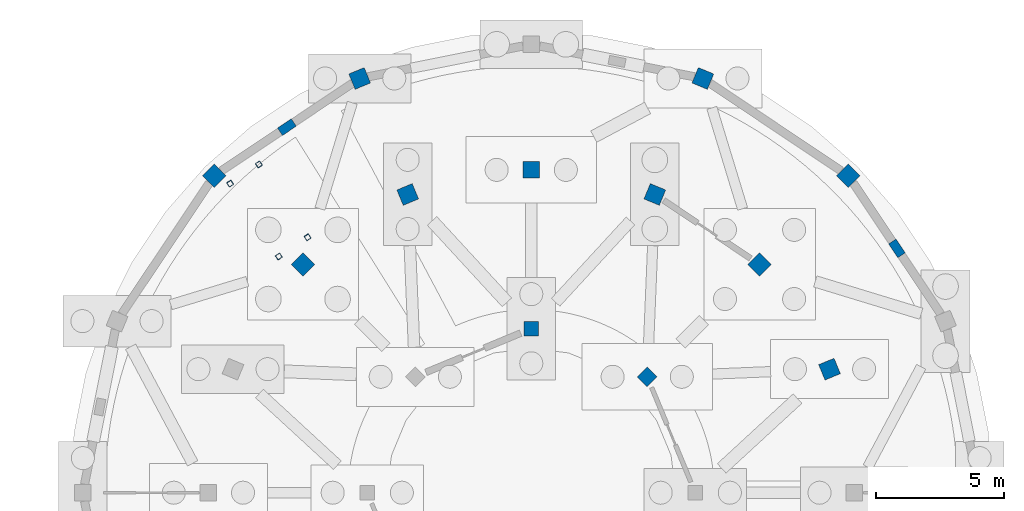
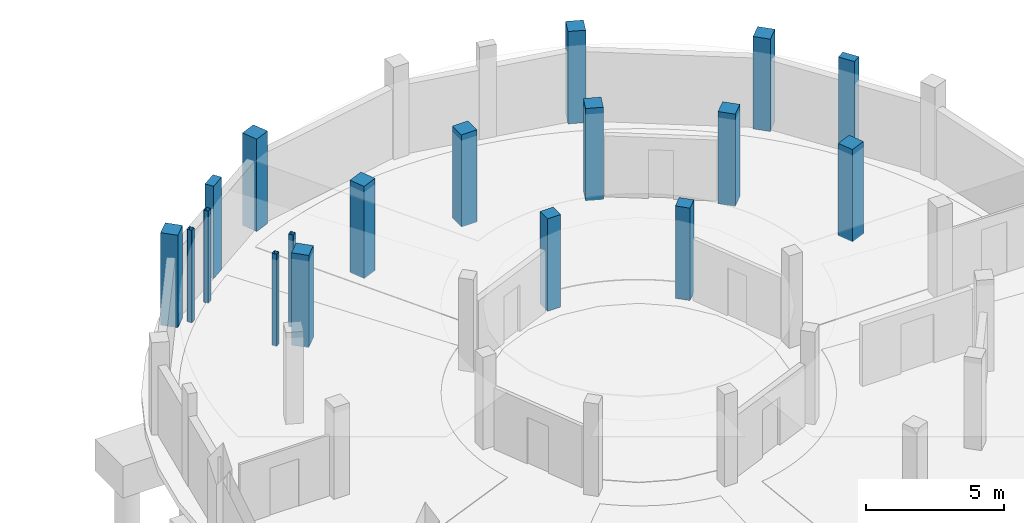
# One storey, part 31 of 58: 18 columns.
"""IFC4 building model written with IfcOpenShell, lengths in metres."""

from ifc_helpers import new_model, si_unit, direction, frame, origin, origin_2d, place, context, subcontext, project, spatial, rectangle, hollow_rectangle, extrude, material, material_profile, profile_set, type_object, element, save


model = new_model("IFC4")

# Units and contexts
model_context = context("Model", 3, precision=1e-05, world=origin(), true_north=direction((0.0, 1.0)))
body_context = subcontext(model_context, "Body", "Model", "MODEL_VIEW")
ifc_project = project(units=[si_unit("LENGTHUNIT", "METRE"), si_unit("AREAUNIT", "SQUARE_METRE"), si_unit("VOLUMEUNIT", "CUBIC_METRE"), si_unit("PLANEANGLEUNIT", "RADIAN"), si_unit("MASSUNIT", "GRAM", prefix="KILO")], contexts=[model_context])

# Site, building, storey
site_placement = place(None, origin())
site = spatial("IfcSite", under=ifc_project, at=site_placement, CompositionType="ELEMENT")
building_placement = place(site_placement, origin())
building = spatial("IfcBuilding", under=site, at=building_placement, Name="Caldaven Crescent School", CompositionType="ELEMENT")
storey_placement = place(building_placement, frame((0.0, 0.0, -4.080078125)))
storey = spatial("IfcBuildingStorey", under=building, at=storey_placement, Name="B1", CompositionType="ELEMENT", Elevation=-4.080078125)

# Columns
ifc_material_1 = material(Name="Steel ASTM A572 Grade 50", Category="steel")
ifc_material_profile_1 = material_profile(ifc_material_1, hollow_rectangle(XDim=0.199951171875, YDim=0.199951171875, WallThickness=0.010009765625, InnerFilletRadius=0.010009765625, OuterFilletRadius=0.02001953125, at=origin_2d()), Name="HSS 200x200x10")
ifc_profile_set_1 = profile_set([ifc_material_profile_1], Name="Steel ASTM A572 Grade 50")
column_type_1 = type_object("IfcColumnType", Name="COL-HS20", PredefinedType="COLUMN", material=ifc_profile_set_1)
for number, where, z_axis, x_axis, name in (
    (1, (141.86962890625, 111.3134765625, 0.0), (0.0, 0.0, 1.0), (-0.831469612303, -0.55557023302, 0.0), "COL-STPOST-STV1-B1-A"),
    (2, (143.769775390625, 108.469970703125, 0.0), (0.0, 0.0, 1.0), (-0.831469612303, -0.55557023302, 0.0), "COL-STPOST-STV1-B1-B"),
    (3, (140.7470703125, 110.5634765625, 0.0), (0.0, 0.0, 1.0), (-0.831469612303, -0.55557023302, 0.0), "COL-STPOST-STV1-B1-C"),
    (4, (142.647216796875, 107.719970703125, 0.0), (0.0, 0.0, 1.0), (-0.831469612303, -0.55557023302, 0.0), "COL-STPOST-STV1-B1-D"),
):
    element("IfcColumn", number, at=place(storey_placement, frame(where, z_axis=z_axis, x_axis=x_axis)), inside=storey, type_object=column_type_1, Name=name, PredefinedType="COLUMN", context=body_context, shape_type="SweptSolid", body=[
        extrude(hollow_rectangle(XDim=0.199951171875, YDim=0.199951171875, WallThickness=0.010009765625, InnerFilletRadius=0.010009765625, OuterFilletRadius=0.02001953125, at=origin_2d()), origin(), (0.0, 0.0, 1.0), 4.080078125),
    ])
ifc_material_2 = material(Name="Concrete C35/45", Category="concrete")
ifc_material_profile_2 = material_profile(ifc_material_2, rectangle(XDim=0.550048828125, YDim=0.550048828125, at=origin_2d()), Name="RC 550x550")
ifc_profile_set_2 = profile_set([ifc_material_profile_2], Name="Concrete C35/45")
column_type_2 = type_object("IfcColumnType", Name="COL-RC55", PredefinedType="COLUMN", material=ifc_profile_set_2)
for number, where, z_axis, x_axis, name in (
    (5, (157.025390625, 103.025390625, 0.0), (0.0, 0.0, 1.0), (0.707106781187, 0.707106781187, 0.0), "COL-V1-B1-IN-02"),
    (6, (152.5, 104.89990234375, 0.0), (0.0, 0.0, 1.0), (0.0, 1.0, 0.0), "COL-V1-B1-IN-04"),
):
    element("IfcColumn", number, at=place(storey_placement, frame(where, z_axis=z_axis, x_axis=x_axis)), inside=storey, type_object=column_type_2, Name=name, PredefinedType="COLUMN", context=body_context, shape_type="SweptSolid", body=[
        extrude(rectangle(XDim=0.550048828125, YDim=0.550048828125, at=origin_2d()), origin(), (0.0, 0.0, 1.0), 4.080078125),
    ])
ifc_material_profile_3 = material_profile(ifc_material_2, rectangle(XDim=0.64990234375, YDim=0.64990234375, at=origin_2d()), Name="RC 650x650")
ifc_profile_set_3 = profile_set([ifc_material_profile_3], Name="Concrete C35/45")
column_type_3 = type_object("IfcColumnType", Name="COL-RC65", PredefinedType="COLUMN", material=ifc_profile_set_3)
for number, where, z_axis, x_axis, name in (
    (7, (164.140869140625, 103.32177734375, 0.0), (0.0, 0.0, 1.0), (0.923879532511, 0.382683432365, 0.0), "COL-V1-B1-GAL-01"),
    (8, (161.409423828125, 107.409423828125, 0.0), (0.0, 0.0, 1.0), (0.707106781187, 0.707106781187, 0.0), "COL-V1-B1-GAL-02"),
    (9, (164.874267578125, 110.874267578125, 0.0), (0.0, 0.0, 1.0), (0.707106781187, 0.707106781187, 0.0), "COL-V1-B1-OUT-02"),
    (10, (157.32177734375, 110.140869140625, 0.0), (0.0, 0.0, 1.0), (0.382683432365, 0.923879532511, 0.0), "COL-V1-B1-GAL-03"),
    (11, (159.197021484375, 114.66796875, 0.0), (0.0, 0.0, 1.0), (0.382683432365, 0.923879532511, 0.0), "COL-V1-B1-OUT-03"),
    (12, (152.5, 111.10009765625, 0.0), (0.0, 0.0, 1.0), (0.0, 1.0, 0.0), "COL-V1-B1-GAL-04"),
    (13, (147.67822265625, 110.140869140625, 0.0), (0.0, 0.0, 1.0), (-0.382683432365, 0.923879532511, 0.0), "COL-V1-B1-GAL-05"),
    (14, (145.802978515625, 114.66796875, 0.0), (0.0, 0.0, 1.0), (-0.382683432365, 0.923879532511, 0.0), "COL-V1-B1-OUT-05"),
    (15, (143.590576171875, 107.409423828125, 0.0), (0.0, 0.0, 1.0), (-0.707106781187, 0.707106781187, 0.0), "COL-V1-B1-GAL-06"),
    (16, (140.125732421875, 110.874267578125, 0.0), (0.0, 0.0, 1.0), (-0.707106781187, 0.707106781187, 0.0), "COL-V1-B1-OUT-06"),
):
    element("IfcColumn", number, at=place(storey_placement, frame(where, z_axis=z_axis, x_axis=x_axis)), inside=storey, type_object=column_type_3, Name=name, PredefinedType="COLUMN", context=body_context, shape_type="SweptSolid", body=[
        extrude(rectangle(XDim=0.64990234375, YDim=0.64990234375, at=origin_2d()), origin(), (0.0, 0.0, 1.0), 4.080078125),
    ])
ifc_material_3 = material(Name="Concrete C30/37", Category="concrete")
ifc_material_profile_4 = material_profile(ifc_material_3, rectangle(XDim=0.35009765625, YDim=0.64990234375, at=origin_2d()), Name="RC 350x650")
ifc_profile_set_4 = profile_set([ifc_material_profile_4], Name="Concrete C30/37")
column_type_4 = type_object("IfcColumnType", Name="PIL-RC35", PredefinedType="PILASTER", material=ifc_profile_set_4)
for number, where, z_axis, x_axis, name in (
    (17, (166.771240234375, 108.03564453125, 0.0), (0.0, 0.0, 1.0), (0.831469612303, 0.55557023302, 0.0), "PIL-V1-B1-00"),
    (18, (142.96435546875, 112.771240234375, 0.0), (0.0, 0.0, 1.0), (-0.55557023302, 0.831469612303, 0.0), "PIL-V1-B1-02"),
):
    element("IfcColumn", number, at=place(storey_placement, frame(where, z_axis=z_axis, x_axis=x_axis)), inside=storey, type_object=column_type_4, Name=name, PredefinedType="PILASTER", context=body_context, shape_type="SweptSolid", body=[
        extrude(rectangle(XDim=0.35009765625, YDim=0.64990234375, at=origin_2d()), origin(), (0.0, 0.0, 1.0), 4.080078125),
    ])

save(model, "model.ifc")
